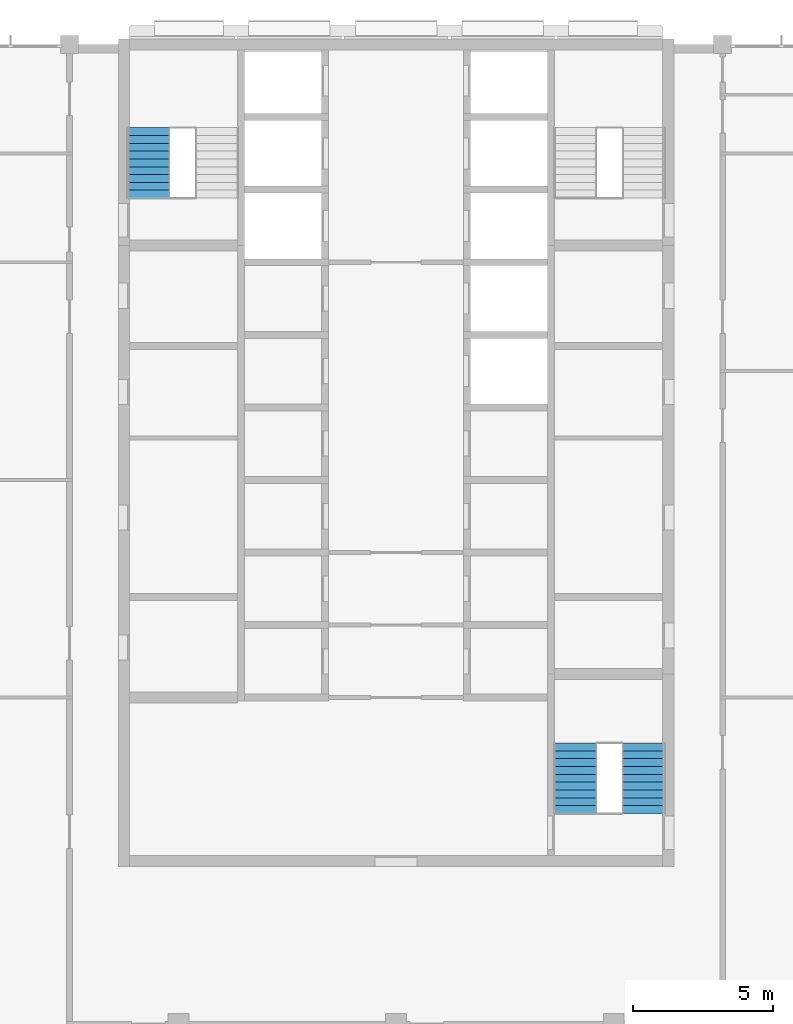
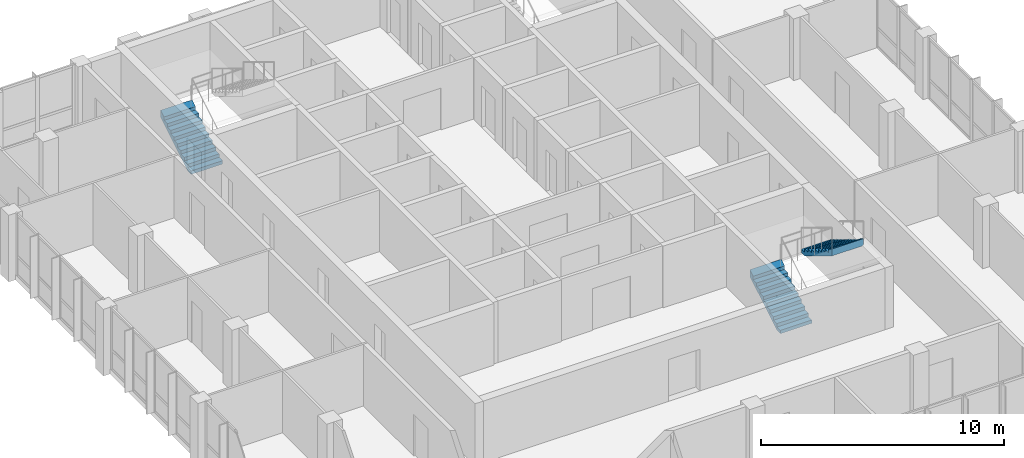
# One storey, part 13 of 17: 3 stair flights, 2 elements without a shape of their own.
"""IFC4 building model written with IfcOpenShell, lengths in metres."""

from ifc_helpers import new_model, si_unit, direction, frame, origin, place, context, subcontext, project, spatial, triangles, material, type_object, element, aggregate, save


model = new_model("IFC4")

# Units and contexts
model_context = context("Model", 3, precision=1e-05, world=origin(), true_north=direction((0.0, 1.0)))
body_context = subcontext(model_context, "Body", "Model", "MODEL_VIEW")
ifc_project = project(units=[si_unit("LENGTHUNIT", "METRE"), si_unit("AREAUNIT", "SQUARE_METRE"), si_unit("VOLUMEUNIT", "CUBIC_METRE"), si_unit("PLANEANGLEUNIT", "RADIAN"), si_unit("MASSUNIT", "GRAM", prefix="KILO")], contexts=[model_context])

# Site, building, storey
site_placement = place(None, origin())
site = spatial("IfcSite", under=ifc_project, at=site_placement, CompositionType="ELEMENT")
building_placement = place(site_placement, origin())
building = spatial("IfcBuilding", under=site, at=building_placement, Name="Ludao Terraces", CompositionType="ELEMENT")
storey_placement = place(building_placement, frame((0.0, 0.0, 263.0)))
storey = spatial("IfcBuildingStorey", under=building, at=storey_placement, Name="L72", CompositionType="ELEMENT", Elevation=263.0)

# Stair, stair flight
ifc_material = material(Name="Concrete C40", Category="concrete")
stair_type = type_object("IfcStairType", Name="INT Stair", PredefinedType="HALF_TURN_STAIR", material=ifc_material)
stair_1_placement = place(storey_placement, origin())
stair_1 = element("IfcStair", 1, at=stair_1_placement, inside=storey, type_object=stair_type, Name="EXIT STAIR 1", PredefinedType="HALF_TURN_STAIR")
stair_flight_type = type_object("IfcStairFlightType", Name="INT Stair flight", PredefinedType="STRAIGHT", material=ifc_material)
stair_flight_1_placement = place(storey_placement, frame((76.125, 79.0, 0.0), z_axis=(0.0, 0.0, 1.0), x_axis=(0.0, 1.0, 0.0)))
stair_flight_1 = element("IfcStairFlight", 2, at=stair_flight_1_placement, type_object=stair_flight_type, Name="ST1 flight 1", NumberOfRisers=10, NumberOfTreads=9, PredefinedType="STRAIGHT", RiserHeight=0.17, TreadLength=0.28, context=body_context, shape_type="Tessellation", body=[
    triangles([(0.0, -0.75, 0.0), (0.0, -0.5, 0.0), (0.0, -0.25, 0.0), (0.0, 0.0, 0.0), (0.0, 0.25, 0.0), (0.0, 0.5, 0.0), (0.0, 0.75, 0.0), (0.0, -0.75, 0.169921875), (0.0, -0.5, 0.169921875), (0.0, -0.25, 0.169921875), (0.0, 0.0, 0.169921875), (0.0, 0.25, 0.169921875), (0.0, 0.5, 0.169921875), (0.0, 0.75, 0.169921875), (0.280029296875, -0.75, 0.169921875), (0.280029296875, -0.5, 0.169921875), (0.280029296875, -0.25, 0.169921875), (0.280029296875, 0.0, 0.169921875), (0.280029296875, 0.25, 0.169921875), (0.280029296875, 0.5, 0.169921875), (0.280029296875, 0.75, 0.169921875), (0.280029296875, -0.75, 0.340087890625), (0.280029296875, -0.5, 0.340087890625), (0.280029296875, -0.25, 0.340087890625), (0.280029296875, 0.0, 0.340087890625), (0.280029296875, 0.25, 0.340087890625), (0.280029296875, 0.5, 0.340087890625), (0.280029296875, 0.75, 0.340087890625), (0.56005859375, -0.75, 0.340087890625), (0.56005859375, -0.5, 0.340087890625), (0.56005859375, -0.25, 0.340087890625), (0.56005859375, 0.0, 0.340087890625), (0.56005859375, 0.25, 0.340087890625), (0.56005859375, 0.5, 0.340087890625), (0.56005859375, 0.75, 0.340087890625), (0.56005859375, -0.75, 0.510009765625), (0.56005859375, -0.5, 0.510009765625), (0.56005859375, -0.25, 0.510009765625), (0.56005859375, 0.0, 0.510009765625), (0.56005859375, 0.25, 0.510009765625), (0.56005859375, 0.5, 0.510009765625), (0.56005859375, 0.75, 0.510009765625), (0.840087890625, -0.75, 0.510009765625), (0.840087890625, -0.5, 0.510009765625), (0.840087890625, -0.25, 0.510009765625), (0.840087890625, 0.0, 0.510009765625), (0.840087890625, 0.25, 0.510009765625), (0.840087890625, 0.5, 0.510009765625), (0.840087890625, 0.75, 0.510009765625), (0.840087890625, -0.75, 0.679931640625), (0.840087890625, -0.5, 0.679931640625), (0.840087890625, -0.25, 0.679931640625), (0.840087890625, 0.0, 0.679931640625), (0.840087890625, 0.25, 0.679931640625), (0.840087890625, 0.5, 0.679931640625), (0.840087890625, 0.75, 0.679931640625), (1.1201171875, -0.75, 0.679931640625), (1.1201171875, -0.5, 0.679931640625), (1.1201171875, -0.25, 0.679931640625), (1.1201171875, 0.0, 0.679931640625), (1.1201171875, 0.25, 0.679931640625), (1.1201171875, 0.5, 0.679931640625), (1.1201171875, 0.75, 0.679931640625), (1.1201171875, -0.75, 0.85009765625), (1.1201171875, -0.5, 0.85009765625), (1.1201171875, -0.25, 0.85009765625), (1.1201171875, 0.0, 0.85009765625), (1.1201171875, 0.25, 0.85009765625), (1.1201171875, 0.5, 0.85009765625), (1.1201171875, 0.75, 0.85009765625), (1.39990234375, -0.75, 0.85009765625), (1.39990234375, -0.5, 0.85009765625), (1.39990234375, -0.25, 0.85009765625), (1.39990234375, 0.0, 0.85009765625), (1.39990234375, 0.25, 0.85009765625), (1.39990234375, 0.5, 0.85009765625), (1.39990234375, 0.75, 0.85009765625), (1.39990234375, -0.75, 1.02001953125), (1.39990234375, -0.5, 1.02001953125), (1.39990234375, -0.25, 1.02001953125), (1.39990234375, 0.0, 1.02001953125), (1.39990234375, 0.25, 1.02001953125), (1.39990234375, 0.5, 1.02001953125), (1.39990234375, 0.75, 1.02001953125), (1.679931640625, -0.75, 1.02001953125), (1.679931640625, -0.5, 1.02001953125), (1.679931640625, -0.25, 1.02001953125), (1.679931640625, 0.0, 1.02001953125), (1.679931640625, 0.25, 1.02001953125), (1.679931640625, 0.5, 1.02001953125), (1.679931640625, 0.75, 1.02001953125), (1.679931640625, -0.75, 1.18994140625), (1.679931640625, -0.5, 1.18994140625), (1.679931640625, -0.25, 1.18994140625), (1.679931640625, 0.0, 1.18994140625), (1.679931640625, 0.25, 1.18994140625), (1.679931640625, 0.5, 1.18994140625), (1.679931640625, 0.75, 1.18994140625), (1.9599609375, -0.75, 1.18994140625), (1.9599609375, -0.5, 1.18994140625), (1.9599609375, -0.25, 1.18994140625), (1.9599609375, 0.0, 1.18994140625), (1.9599609375, 0.25, 1.18994140625), (1.9599609375, 0.5, 1.18994140625), (1.9599609375, 0.75, 1.18994140625), (1.9599609375, -0.75, 1.360107421875), (1.9599609375, -0.5, 1.360107421875), (1.9599609375, -0.25, 1.360107421875), (1.9599609375, 0.0, 1.360107421875), (1.9599609375, 0.25, 1.360107421875), (1.9599609375, 0.5, 1.360107421875), (1.9599609375, 0.75, 1.360107421875), (2.239990234375, -0.75, 1.360107421875), (2.239990234375, -0.5, 1.360107421875), (2.239990234375, -0.25, 1.360107421875), (2.239990234375, 0.0, 1.360107421875), (2.239990234375, 0.25, 1.360107421875), (2.239990234375, 0.5, 1.360107421875), (2.239990234375, 0.75, 1.360107421875), (2.239990234375, -0.75, 1.530029296875), (2.239990234375, -0.5, 1.530029296875), (2.239990234375, -0.25, 1.530029296875), (2.239990234375, 0.0, 1.530029296875), (2.239990234375, 0.25, 1.530029296875), (2.239990234375, 0.5, 1.530029296875), (2.239990234375, 0.75, 1.530029296875), (2.52001953125, -0.75, 1.699951171875), (2.52001953125, -0.5, 1.699951171875), (2.52001953125, -0.25, 1.699951171875), (2.52001953125, 0.0, 1.699951171875), (2.52001953125, 0.25, 1.699951171875), (2.52001953125, 0.5, 1.699951171875), (2.52001953125, 0.75, 1.699951171875), (2.52001953125, -0.75, 1.354736328125), (2.52001953125, -0.5, 1.354736328125), (2.52001953125, -0.25, 1.354736328125), (2.52001953125, 0.0, 1.354736328125), (2.52001953125, 0.25, 1.354736328125), (2.52001953125, 0.5, 1.354736328125), (2.52001953125, 0.75, 1.354736328125), (0.288818359375, -0.75, 0.0), (0.288818359375, -0.5, 0.0), (0.288818359375, -0.25, 0.0), (0.288818359375, 0.0, 0.0), (0.288818359375, 0.25, 0.0), (0.288818359375, 0.5, 0.0), (0.288818359375, 0.75, 0.0)], [[1, 141, 134], [7, 140, 147], [134, 127, 120], [140, 126, 133], [134, 120, 113], [140, 119, 126], [134, 113, 106], [140, 112, 119], [134, 106, 99], [140, 105, 112], [99, 92, 85], [105, 91, 98], [134, 99, 85], [140, 91, 105], [85, 78, 71], [91, 77, 84], [134, 85, 71], [140, 77, 91], [71, 64, 57], [77, 63, 70], [134, 71, 57], [140, 63, 77], [57, 50, 43], [63, 49, 56], [134, 57, 43], [140, 49, 63], [43, 36, 29], [49, 35, 42], [134, 43, 29], [140, 35, 49], [29, 22, 15], [35, 21, 28], [134, 29, 15], [140, 21, 35], [1, 134, 15], [7, 21, 140], [15, 8, 1], [21, 7, 14], [1, 9, 2], [1, 8, 9], [2, 10, 3], [2, 9, 10], [3, 11, 4], [3, 10, 11], [4, 12, 5], [4, 11, 12], [5, 13, 6], [5, 12, 13], [6, 14, 7], [6, 13, 14], [8, 16, 9], [8, 15, 16], [9, 17, 10], [9, 16, 17], [10, 18, 11], [10, 17, 18], [11, 19, 12], [11, 18, 19], [12, 20, 13], [12, 19, 20], [13, 21, 14], [13, 20, 21], [15, 23, 16], [15, 22, 23], [16, 24, 17], [16, 23, 24], [17, 25, 18], [17, 24, 25], [18, 26, 19], [18, 25, 26], [19, 27, 20], [19, 26, 27], [20, 28, 21], [20, 27, 28], [22, 30, 23], [22, 29, 30], [23, 31, 24], [23, 30, 31], [24, 32, 25], [24, 31, 32], [25, 33, 26], [25, 32, 33], [26, 34, 27], [26, 33, 34], [27, 35, 28], [27, 34, 35], [29, 37, 30], [29, 36, 37], [30, 38, 31], [30, 37, 38], [31, 39, 32], [31, 38, 39], [32, 40, 33], [32, 39, 40], [33, 41, 34], [33, 40, 41], [34, 42, 35], [34, 41, 42], [36, 44, 37], [36, 43, 44], [37, 45, 38], [37, 44, 45], [38, 46, 39], [38, 45, 46], [39, 47, 40], [39, 46, 47], [40, 48, 41], [40, 47, 48], [41, 49, 42], [41, 48, 49], [43, 51, 44], [43, 50, 51], [44, 52, 45], [44, 51, 52], [45, 53, 46], [45, 52, 53], [46, 54, 47], [46, 53, 54], [47, 55, 48], [47, 54, 55], [48, 56, 49], [48, 55, 56], [50, 58, 51], [50, 57, 58], [51, 59, 52], [51, 58, 59], [52, 60, 53], [52, 59, 60], [53, 61, 54], [53, 60, 61], [54, 62, 55], [54, 61, 62], [55, 63, 56], [55, 62, 63], [57, 65, 58], [57, 64, 65], [58, 66, 59], [58, 65, 66], [59, 67, 60], [59, 66, 67], [60, 68, 61], [60, 67, 68], [61, 69, 62], [61, 68, 69], [62, 70, 63], [62, 69, 70], [64, 72, 65], [64, 71, 72], [65, 73, 66], [65, 72, 73], [66, 74, 67], [66, 73, 74], [67, 75, 68], [67, 74, 75], [68, 76, 69], [68, 75, 76], [69, 77, 70], [69, 76, 77], [71, 79, 72], [71, 78, 79], [72, 80, 73], [72, 79, 80], [73, 81, 74], [73, 80, 81], [74, 82, 75], [74, 81, 82], [75, 83, 76], [75, 82, 83], [76, 84, 77], [76, 83, 84], [78, 86, 79], [78, 85, 86], [79, 87, 80], [79, 86, 87], [80, 88, 81], [80, 87, 88], [81, 89, 82], [81, 88, 89], [82, 90, 83], [82, 89, 90], [83, 91, 84], [83, 90, 91], [85, 93, 86], [85, 92, 93], [86, 94, 87], [86, 93, 94], [87, 95, 88], [87, 94, 95], [88, 96, 89], [88, 95, 96], [89, 97, 90], [89, 96, 97], [90, 98, 91], [90, 97, 98], [92, 100, 93], [92, 99, 100], [93, 101, 94], [93, 100, 101], [94, 102, 95], [94, 101, 102], [95, 103, 96], [95, 102, 103], [96, 104, 97], [96, 103, 104], [97, 105, 98], [97, 104, 105], [99, 107, 100], [99, 106, 107], [100, 108, 101], [100, 107, 108], [101, 109, 102], [101, 108, 109], [102, 110, 103], [102, 109, 110], [103, 111, 104], [103, 110, 111], [104, 112, 105], [104, 111, 112], [106, 114, 107], [106, 113, 114], [107, 115, 108], [107, 114, 115], [108, 116, 109], [108, 115, 116], [109, 117, 110], [109, 116, 117], [110, 118, 111], [110, 117, 118], [111, 119, 112], [111, 118, 119], [113, 121, 114], [113, 120, 121], [114, 122, 115], [114, 121, 122], [115, 123, 116], [115, 122, 123], [116, 124, 117], [116, 123, 124], [117, 125, 118], [117, 124, 125], [118, 126, 119], [118, 125, 126], [120, 128, 121], [120, 127, 128], [121, 129, 122], [121, 128, 129], [122, 130, 123], [122, 129, 130], [123, 131, 124], [123, 130, 131], [124, 132, 125], [124, 131, 132], [125, 133, 126], [125, 132, 133], [127, 135, 128], [127, 134, 135], [128, 136, 129], [128, 135, 136], [129, 137, 130], [129, 136, 137], [130, 138, 131], [130, 137, 138], [131, 139, 132], [131, 138, 139], [132, 140, 133], [132, 139, 140], [134, 142, 135], [134, 141, 142], [135, 143, 136], [135, 142, 143], [136, 144, 137], [136, 143, 144], [137, 145, 138], [137, 144, 145], [138, 146, 139], [138, 145, 146], [139, 147, 140], [139, 146, 147], [141, 2, 142], [141, 1, 2], [142, 3, 143], [142, 2, 3], [143, 4, 144], [143, 3, 4], [144, 5, 145], [144, 4, 5], [145, 6, 146], [145, 5, 6], [146, 7, 147], [146, 6, 7]], closed=True),
])
aggregate(stair_1, [stair_flight_1])

# Stair, stair flights
stair_2_placement = place(storey_placement, origin())
stair_2 = element("IfcStair", 3, at=stair_2_placement, inside=storey, type_object=stair_type, Name="EXIT STAIR 3", PredefinedType="HALF_TURN_STAIR")
stair_flight_2_placement = place(storey_placement, frame((91.425048828125, 56.949951171875, 0.0), z_axis=(0.0, 0.0, 1.0), x_axis=(0.0, 1.0, 0.0)))
stair_flight_2 = element("IfcStairFlight", 4, at=stair_flight_2_placement, type_object=stair_flight_type, Name="ST3 flight 1", NumberOfRisers=10, NumberOfTreads=9, PredefinedType="STRAIGHT", RiserHeight=0.17, TreadLength=0.28, context=body_context, shape_type="Tessellation", body=[
    triangles([(0.0, -0.75, 0.0), (0.0, -0.5, 0.0), (0.0, -0.25, 0.0), (0.0, 0.0, 0.0), (0.0, 0.25, 0.0), (0.0, 0.5, 0.0), (0.0, 0.75, 0.0), (0.0, -0.75, 0.169921875), (0.0, -0.5, 0.169921875), (0.0, -0.25, 0.169921875), (0.0, 0.0, 0.169921875), (0.0, 0.25, 0.169921875), (0.0, 0.5, 0.169921875), (0.0, 0.75, 0.169921875), (0.280029296875, -0.75, 0.169921875), (0.280029296875, -0.5, 0.169921875), (0.280029296875, -0.25, 0.169921875), (0.280029296875, 0.0, 0.169921875), (0.280029296875, 0.25, 0.169921875), (0.280029296875, 0.5, 0.169921875), (0.280029296875, 0.75, 0.169921875), (0.280029296875, -0.75, 0.340087890625), (0.280029296875, -0.5, 0.340087890625), (0.280029296875, -0.25, 0.340087890625), (0.280029296875, 0.0, 0.340087890625), (0.280029296875, 0.25, 0.340087890625), (0.280029296875, 0.5, 0.340087890625), (0.280029296875, 0.75, 0.340087890625), (0.56005859375, -0.75, 0.340087890625), (0.56005859375, -0.5, 0.340087890625), (0.56005859375, -0.25, 0.340087890625), (0.56005859375, 0.0, 0.340087890625), (0.56005859375, 0.25, 0.340087890625), (0.56005859375, 0.5, 0.340087890625), (0.56005859375, 0.75, 0.340087890625), (0.56005859375, -0.75, 0.510009765625), (0.56005859375, -0.5, 0.510009765625), (0.56005859375, -0.25, 0.510009765625), (0.56005859375, 0.0, 0.510009765625), (0.56005859375, 0.25, 0.510009765625), (0.56005859375, 0.5, 0.510009765625), (0.56005859375, 0.75, 0.510009765625), (0.840087890625, -0.75, 0.510009765625), (0.840087890625, -0.5, 0.510009765625), (0.840087890625, -0.25, 0.510009765625), (0.840087890625, 0.0, 0.510009765625), (0.840087890625, 0.25, 0.510009765625), (0.840087890625, 0.5, 0.510009765625), (0.840087890625, 0.75, 0.510009765625), (0.840087890625, -0.75, 0.679931640625), (0.840087890625, -0.5, 0.679931640625), (0.840087890625, -0.25, 0.679931640625), (0.840087890625, 0.0, 0.679931640625), (0.840087890625, 0.25, 0.679931640625), (0.840087890625, 0.5, 0.679931640625), (0.840087890625, 0.75, 0.679931640625), (1.1201171875, -0.75, 0.679931640625), (1.1201171875, -0.5, 0.679931640625), (1.1201171875, -0.25, 0.679931640625), (1.1201171875, 0.0, 0.679931640625), (1.1201171875, 0.25, 0.679931640625), (1.1201171875, 0.5, 0.679931640625), (1.1201171875, 0.75, 0.679931640625), (1.1201171875, -0.75, 0.85009765625), (1.1201171875, -0.5, 0.85009765625), (1.1201171875, -0.25, 0.85009765625), (1.1201171875, 0.0, 0.85009765625), (1.1201171875, 0.25, 0.85009765625), (1.1201171875, 0.5, 0.85009765625), (1.1201171875, 0.75, 0.85009765625), (1.39990234375, -0.75, 0.85009765625), (1.39990234375, -0.5, 0.85009765625), (1.39990234375, -0.25, 0.85009765625), (1.39990234375, 0.0, 0.85009765625), (1.39990234375, 0.25, 0.85009765625), (1.39990234375, 0.5, 0.85009765625), (1.39990234375, 0.75, 0.85009765625), (1.39990234375, -0.75, 1.02001953125), (1.39990234375, -0.5, 1.02001953125), (1.39990234375, -0.25, 1.02001953125), (1.39990234375, 0.0, 1.02001953125), (1.39990234375, 0.25, 1.02001953125), (1.39990234375, 0.5, 1.02001953125), (1.39990234375, 0.75, 1.02001953125), (1.679931640625, -0.75, 1.02001953125), (1.679931640625, -0.5, 1.02001953125), (1.679931640625, -0.25, 1.02001953125), (1.679931640625, 0.0, 1.02001953125), (1.679931640625, 0.25, 1.02001953125), (1.679931640625, 0.5, 1.02001953125), (1.679931640625, 0.75, 1.02001953125), (1.679931640625, -0.75, 1.18994140625), (1.679931640625, -0.5, 1.18994140625), (1.679931640625, -0.25, 1.18994140625), (1.679931640625, 0.0, 1.18994140625), (1.679931640625, 0.25, 1.18994140625), (1.679931640625, 0.5, 1.18994140625), (1.679931640625, 0.75, 1.18994140625), (1.9599609375, -0.75, 1.18994140625), (1.9599609375, -0.5, 1.18994140625), (1.9599609375, -0.25, 1.18994140625), (1.9599609375, 0.0, 1.18994140625), (1.9599609375, 0.25, 1.18994140625), (1.9599609375, 0.5, 1.18994140625), (1.9599609375, 0.75, 1.18994140625), (1.9599609375, -0.75, 1.360107421875), (1.9599609375, -0.5, 1.360107421875), (1.9599609375, -0.25, 1.360107421875), (1.9599609375, 0.0, 1.360107421875), (1.9599609375, 0.25, 1.360107421875), (1.9599609375, 0.5, 1.360107421875), (1.9599609375, 0.75, 1.360107421875), (2.239990234375, -0.75, 1.360107421875), (2.239990234375, -0.5, 1.360107421875), (2.239990234375, -0.25, 1.360107421875), (2.239990234375, 0.0, 1.360107421875), (2.239990234375, 0.25, 1.360107421875), (2.239990234375, 0.5, 1.360107421875), (2.239990234375, 0.75, 1.360107421875), (2.239990234375, -0.75, 1.530029296875), (2.239990234375, -0.5, 1.530029296875), (2.239990234375, -0.25, 1.530029296875), (2.239990234375, 0.0, 1.530029296875), (2.239990234375, 0.25, 1.530029296875), (2.239990234375, 0.5, 1.530029296875), (2.239990234375, 0.75, 1.530029296875), (2.52001953125, -0.75, 1.699951171875), (2.52001953125, -0.5, 1.699951171875), (2.52001953125, -0.25, 1.699951171875), (2.52001953125, 0.0, 1.699951171875), (2.52001953125, 0.25, 1.699951171875), (2.52001953125, 0.5, 1.699951171875), (2.52001953125, 0.75, 1.699951171875), (2.52001953125, -0.75, 1.354736328125), (2.52001953125, -0.5, 1.354736328125), (2.52001953125, -0.25, 1.354736328125), (2.52001953125, 0.0, 1.354736328125), (2.52001953125, 0.25, 1.354736328125), (2.52001953125, 0.5, 1.354736328125), (2.52001953125, 0.75, 1.354736328125), (0.288818359375, -0.75, 0.0), (0.288818359375, -0.5, 0.0), (0.288818359375, -0.25, 0.0), (0.288818359375, 0.0, 0.0), (0.288818359375, 0.25, 0.0), (0.288818359375, 0.5, 0.0), (0.288818359375, 0.75, 0.0)], [[1, 141, 134], [7, 140, 147], [134, 127, 120], [140, 126, 133], [134, 120, 113], [140, 119, 126], [134, 113, 106], [140, 112, 119], [134, 106, 99], [140, 105, 112], [99, 92, 85], [105, 91, 98], [134, 99, 85], [140, 91, 105], [85, 78, 71], [91, 77, 84], [134, 85, 71], [140, 77, 91], [71, 64, 57], [77, 63, 70], [134, 71, 57], [140, 63, 77], [57, 50, 43], [63, 49, 56], [134, 57, 43], [140, 49, 63], [43, 36, 29], [49, 35, 42], [134, 43, 29], [140, 35, 49], [29, 22, 15], [35, 21, 28], [134, 29, 15], [140, 21, 35], [1, 134, 15], [7, 21, 140], [15, 8, 1], [21, 7, 14], [1, 9, 2], [1, 8, 9], [2, 10, 3], [2, 9, 10], [3, 11, 4], [3, 10, 11], [4, 12, 5], [4, 11, 12], [5, 13, 6], [5, 12, 13], [6, 14, 7], [6, 13, 14], [8, 16, 9], [8, 15, 16], [9, 17, 10], [9, 16, 17], [10, 18, 11], [10, 17, 18], [11, 19, 12], [11, 18, 19], [12, 20, 13], [12, 19, 20], [13, 21, 14], [13, 20, 21], [15, 23, 16], [15, 22, 23], [16, 24, 17], [16, 23, 24], [17, 25, 18], [17, 24, 25], [18, 26, 19], [18, 25, 26], [19, 27, 20], [19, 26, 27], [20, 28, 21], [20, 27, 28], [22, 30, 23], [22, 29, 30], [23, 31, 24], [23, 30, 31], [24, 32, 25], [24, 31, 32], [25, 33, 26], [25, 32, 33], [26, 34, 27], [26, 33, 34], [27, 35, 28], [27, 34, 35], [29, 37, 30], [29, 36, 37], [30, 38, 31], [30, 37, 38], [31, 39, 32], [31, 38, 39], [32, 40, 33], [32, 39, 40], [33, 41, 34], [33, 40, 41], [34, 42, 35], [34, 41, 42], [36, 44, 37], [36, 43, 44], [37, 45, 38], [37, 44, 45], [38, 46, 39], [38, 45, 46], [39, 47, 40], [39, 46, 47], [40, 48, 41], [40, 47, 48], [41, 49, 42], [41, 48, 49], [43, 51, 44], [43, 50, 51], [44, 52, 45], [44, 51, 52], [45, 53, 46], [45, 52, 53], [46, 54, 47], [46, 53, 54], [47, 55, 48], [47, 54, 55], [48, 56, 49], [48, 55, 56], [50, 58, 51], [50, 57, 58], [51, 59, 52], [51, 58, 59], [52, 60, 53], [52, 59, 60], [53, 61, 54], [53, 60, 61], [54, 62, 55], [54, 61, 62], [55, 63, 56], [55, 62, 63], [57, 65, 58], [57, 64, 65], [58, 66, 59], [58, 65, 66], [59, 67, 60], [59, 66, 67], [60, 68, 61], [60, 67, 68], [61, 69, 62], [61, 68, 69], [62, 70, 63], [62, 69, 70], [64, 72, 65], [64, 71, 72], [65, 73, 66], [65, 72, 73], [66, 74, 67], [66, 73, 74], [67, 75, 68], [67, 74, 75], [68, 76, 69], [68, 75, 76], [69, 77, 70], [69, 76, 77], [71, 79, 72], [71, 78, 79], [72, 80, 73], [72, 79, 80], [73, 81, 74], [73, 80, 81], [74, 82, 75], [74, 81, 82], [75, 83, 76], [75, 82, 83], [76, 84, 77], [76, 83, 84], [78, 86, 79], [78, 85, 86], [79, 87, 80], [79, 86, 87], [80, 88, 81], [80, 87, 88], [81, 89, 82], [81, 88, 89], [82, 90, 83], [82, 89, 90], [83, 91, 84], [83, 90, 91], [85, 93, 86], [85, 92, 93], [86, 94, 87], [86, 93, 94], [87, 95, 88], [87, 94, 95], [88, 96, 89], [88, 95, 96], [89, 97, 90], [89, 96, 97], [90, 98, 91], [90, 97, 98], [92, 100, 93], [92, 99, 100], [93, 101, 94], [93, 100, 101], [94, 102, 95], [94, 101, 102], [95, 103, 96], [95, 102, 103], [96, 104, 97], [96, 103, 104], [97, 105, 98], [97, 104, 105], [99, 107, 100], [99, 106, 107], [100, 108, 101], [100, 107, 108], [101, 109, 102], [101, 108, 109], [102, 110, 103], [102, 109, 110], [103, 111, 104], [103, 110, 111], [104, 112, 105], [104, 111, 112], [106, 114, 107], [106, 113, 114], [107, 115, 108], [107, 114, 115], [108, 116, 109], [108, 115, 116], [109, 117, 110], [109, 116, 117], [110, 118, 111], [110, 117, 118], [111, 119, 112], [111, 118, 119], [113, 121, 114], [113, 120, 121], [114, 122, 115], [114, 121, 122], [115, 123, 116], [115, 122, 123], [116, 124, 117], [116, 123, 124], [117, 125, 118], [117, 124, 125], [118, 126, 119], [118, 125, 126], [120, 128, 121], [120, 127, 128], [121, 129, 122], [121, 128, 129], [122, 130, 123], [122, 129, 130], [123, 131, 124], [123, 130, 131], [124, 132, 125], [124, 131, 132], [125, 133, 126], [125, 132, 133], [127, 135, 128], [127, 134, 135], [128, 136, 129], [128, 135, 136], [129, 137, 130], [129, 136, 137], [130, 138, 131], [130, 137, 138], [131, 139, 132], [131, 138, 139], [132, 140, 133], [132, 139, 140], [134, 142, 135], [134, 141, 142], [135, 143, 136], [135, 142, 143], [136, 144, 137], [136, 143, 144], [137, 145, 138], [137, 144, 145], [138, 146, 139], [138, 145, 146], [139, 147, 140], [139, 146, 147], [141, 2, 142], [141, 1, 2], [142, 3, 143], [142, 2, 3], [143, 4, 144], [143, 3, 4], [144, 5, 145], [144, 4, 5], [145, 6, 146], [145, 5, 6], [146, 7, 147], [146, 6, 7]], closed=True),
])
stair_flight_3_placement = place(storey_placement, frame((93.875, 59.469970703125, 1.699951171875), z_axis=(0.0, 0.0, 1.0), x_axis=(0.0, -1.0, 0.0)))
stair_flight_3 = element("IfcStairFlight", 5, at=stair_flight_3_placement, type_object=stair_flight_type, Name="ST3 flight 2", NumberOfRisers=10, NumberOfTreads=9, PredefinedType="STRAIGHT", RiserHeight=0.17, TreadLength=0.28, context=body_context, shape_type="Tessellation", body=[
    triangles([(0.0, -0.75, 0.0), (0.0, -0.5, 0.0), (0.0, -0.25, 0.0), (0.0, 0.0, 0.0), (0.0, 0.25, 0.0), (0.0, 0.5, 0.0), (0.0, 0.75, 0.0), (0.0, -0.75, 0.169921875), (0.0, -0.5, 0.169921875), (0.0, -0.25, 0.169921875), (0.0, 0.0, 0.169921875), (0.0, 0.25, 0.169921875), (0.0, 0.5, 0.169921875), (0.0, 0.75, 0.169921875), (0.280029296875, -0.75, 0.169921875), (0.280029296875, -0.5, 0.169921875), (0.280029296875, -0.25, 0.169921875), (0.280029296875, 0.0, 0.169921875), (0.280029296875, 0.25, 0.169921875), (0.280029296875, 0.5, 0.169921875), (0.280029296875, 0.75, 0.169921875), (0.280029296875, -0.75, 0.340087890625), (0.280029296875, -0.5, 0.340087890625), (0.280029296875, -0.25, 0.340087890625), (0.280029296875, 0.0, 0.340087890625), (0.280029296875, 0.25, 0.340087890625), (0.280029296875, 0.5, 0.340087890625), (0.280029296875, 0.75, 0.340087890625), (0.56005859375, -0.75, 0.340087890625), (0.56005859375, -0.5, 0.340087890625), (0.56005859375, -0.25, 0.340087890625), (0.56005859375, 0.0, 0.340087890625), (0.56005859375, 0.25, 0.340087890625), (0.56005859375, 0.5, 0.340087890625), (0.56005859375, 0.75, 0.340087890625), (0.56005859375, -0.75, 0.510009765625), (0.56005859375, -0.5, 0.510009765625), (0.56005859375, -0.25, 0.510009765625), (0.56005859375, 0.0, 0.510009765625), (0.56005859375, 0.25, 0.510009765625), (0.56005859375, 0.5, 0.510009765625), (0.56005859375, 0.75, 0.510009765625), (0.840087890625, -0.75, 0.510009765625), (0.840087890625, -0.5, 0.510009765625), (0.840087890625, -0.25, 0.510009765625), (0.840087890625, 0.0, 0.510009765625), (0.840087890625, 0.25, 0.510009765625), (0.840087890625, 0.5, 0.510009765625), (0.840087890625, 0.75, 0.510009765625), (0.840087890625, -0.75, 0.679931640625), (0.840087890625, -0.5, 0.679931640625), (0.840087890625, -0.25, 0.679931640625), (0.840087890625, 0.0, 0.679931640625), (0.840087890625, 0.25, 0.679931640625), (0.840087890625, 0.5, 0.679931640625), (0.840087890625, 0.75, 0.679931640625), (1.1201171875, -0.75, 0.679931640625), (1.1201171875, -0.5, 0.679931640625), (1.1201171875, -0.25, 0.679931640625), (1.1201171875, 0.0, 0.679931640625), (1.1201171875, 0.25, 0.679931640625), (1.1201171875, 0.5, 0.679931640625), (1.1201171875, 0.75, 0.679931640625), (1.1201171875, -0.75, 0.85009765625), (1.1201171875, -0.5, 0.85009765625), (1.1201171875, -0.25, 0.85009765625), (1.1201171875, 0.0, 0.85009765625), (1.1201171875, 0.25, 0.85009765625), (1.1201171875, 0.5, 0.85009765625), (1.1201171875, 0.75, 0.85009765625), (1.39990234375, -0.75, 0.85009765625), (1.39990234375, -0.5, 0.85009765625), (1.39990234375, -0.25, 0.85009765625), (1.39990234375, 0.0, 0.85009765625), (1.39990234375, 0.25, 0.85009765625), (1.39990234375, 0.5, 0.85009765625), (1.39990234375, 0.75, 0.85009765625), (1.39990234375, -0.75, 1.02001953125), (1.39990234375, -0.5, 1.02001953125), (1.39990234375, -0.25, 1.02001953125), (1.39990234375, 0.0, 1.02001953125), (1.39990234375, 0.25, 1.02001953125), (1.39990234375, 0.5, 1.02001953125), (1.39990234375, 0.75, 1.02001953125), (1.679931640625, -0.75, 1.02001953125), (1.679931640625, -0.5, 1.02001953125), (1.679931640625, -0.25, 1.02001953125), (1.679931640625, 0.0, 1.02001953125), (1.679931640625, 0.25, 1.02001953125), (1.679931640625, 0.5, 1.02001953125), (1.679931640625, 0.75, 1.02001953125), (1.679931640625, -0.75, 1.18994140625), (1.679931640625, -0.5, 1.18994140625), (1.679931640625, -0.25, 1.18994140625), (1.679931640625, 0.0, 1.18994140625), (1.679931640625, 0.25, 1.18994140625), (1.679931640625, 0.5, 1.18994140625), (1.679931640625, 0.75, 1.18994140625), (1.9599609375, -0.75, 1.18994140625), (1.9599609375, -0.5, 1.18994140625), (1.9599609375, -0.25, 1.18994140625), (1.9599609375, 0.0, 1.18994140625), (1.9599609375, 0.25, 1.18994140625), (1.9599609375, 0.5, 1.18994140625), (1.9599609375, 0.75, 1.18994140625), (1.9599609375, -0.75, 1.360107421875), (1.9599609375, -0.5, 1.360107421875), (1.9599609375, -0.25, 1.360107421875), (1.9599609375, 0.0, 1.360107421875), (1.9599609375, 0.25, 1.360107421875), (1.9599609375, 0.5, 1.360107421875), (1.9599609375, 0.75, 1.360107421875), (2.239990234375, -0.75, 1.360107421875), (2.239990234375, -0.5, 1.360107421875), (2.239990234375, -0.25, 1.360107421875), (2.239990234375, 0.0, 1.360107421875), (2.239990234375, 0.25, 1.360107421875), (2.239990234375, 0.5, 1.360107421875), (2.239990234375, 0.75, 1.360107421875), (2.239990234375, -0.75, 1.530029296875), (2.239990234375, -0.5, 1.530029296875), (2.239990234375, -0.25, 1.530029296875), (2.239990234375, 0.0, 1.530029296875), (2.239990234375, 0.25, 1.530029296875), (2.239990234375, 0.5, 1.530029296875), (2.239990234375, 0.75, 1.530029296875), (2.52001953125, -0.75, 1.699951171875), (2.52001953125, -0.5, 1.699951171875), (2.52001953125, -0.25, 1.699951171875), (2.52001953125, 0.0, 1.699951171875), (2.52001953125, 0.25, 1.699951171875), (2.52001953125, 0.5, 1.699951171875), (2.52001953125, 0.75, 1.699951171875), (2.52001953125, -0.75, 1.354736328125), (2.52001953125, -0.5, 1.354736328125), (2.52001953125, -0.25, 1.354736328125), (2.52001953125, 0.0, 1.354736328125), (2.52001953125, 0.25, 1.354736328125), (2.52001953125, 0.5, 1.354736328125), (2.52001953125, 0.75, 1.354736328125), (0.288818359375, -0.75, 0.0), (0.288818359375, -0.5, 0.0), (0.288818359375, -0.25, 0.0), (0.288818359375, 0.0, 0.0), (0.288818359375, 0.25, 0.0), (0.288818359375, 0.5, 0.0), (0.288818359375, 0.75, 0.0)], [[1, 141, 134], [7, 140, 147], [134, 127, 120], [140, 126, 133], [134, 120, 113], [140, 119, 126], [134, 113, 106], [140, 112, 119], [134, 106, 99], [140, 105, 112], [99, 92, 85], [105, 91, 98], [134, 99, 85], [140, 91, 105], [85, 78, 71], [91, 77, 84], [134, 85, 71], [140, 77, 91], [71, 64, 57], [77, 63, 70], [134, 71, 57], [140, 63, 77], [57, 50, 43], [63, 49, 56], [134, 57, 43], [140, 49, 63], [43, 36, 29], [49, 35, 42], [134, 43, 29], [140, 35, 49], [29, 22, 15], [35, 21, 28], [134, 29, 15], [140, 21, 35], [1, 134, 15], [7, 21, 140], [15, 8, 1], [21, 7, 14], [1, 9, 2], [1, 8, 9], [2, 10, 3], [2, 9, 10], [3, 11, 4], [3, 10, 11], [4, 12, 5], [4, 11, 12], [5, 13, 6], [5, 12, 13], [6, 14, 7], [6, 13, 14], [8, 16, 9], [8, 15, 16], [9, 17, 10], [9, 16, 17], [10, 18, 11], [10, 17, 18], [11, 19, 12], [11, 18, 19], [12, 20, 13], [12, 19, 20], [13, 21, 14], [13, 20, 21], [15, 23, 16], [15, 22, 23], [16, 24, 17], [16, 23, 24], [17, 25, 18], [17, 24, 25], [18, 26, 19], [18, 25, 26], [19, 27, 20], [19, 26, 27], [20, 28, 21], [20, 27, 28], [22, 30, 23], [22, 29, 30], [23, 31, 24], [23, 30, 31], [24, 32, 25], [24, 31, 32], [25, 33, 26], [25, 32, 33], [26, 34, 27], [26, 33, 34], [27, 35, 28], [27, 34, 35], [29, 37, 30], [29, 36, 37], [30, 38, 31], [30, 37, 38], [31, 39, 32], [31, 38, 39], [32, 40, 33], [32, 39, 40], [33, 41, 34], [33, 40, 41], [34, 42, 35], [34, 41, 42], [36, 44, 37], [36, 43, 44], [37, 45, 38], [37, 44, 45], [38, 46, 39], [38, 45, 46], [39, 47, 40], [39, 46, 47], [40, 48, 41], [40, 47, 48], [41, 49, 42], [41, 48, 49], [43, 51, 44], [43, 50, 51], [44, 52, 45], [44, 51, 52], [45, 53, 46], [45, 52, 53], [46, 54, 47], [46, 53, 54], [47, 55, 48], [47, 54, 55], [48, 56, 49], [48, 55, 56], [50, 58, 51], [50, 57, 58], [51, 59, 52], [51, 58, 59], [52, 60, 53], [52, 59, 60], [53, 61, 54], [53, 60, 61], [54, 62, 55], [54, 61, 62], [55, 63, 56], [55, 62, 63], [57, 65, 58], [57, 64, 65], [58, 66, 59], [58, 65, 66], [59, 67, 60], [59, 66, 67], [60, 68, 61], [60, 67, 68], [61, 69, 62], [61, 68, 69], [62, 70, 63], [62, 69, 70], [64, 72, 65], [64, 71, 72], [65, 73, 66], [65, 72, 73], [66, 74, 67], [66, 73, 74], [67, 75, 68], [67, 74, 75], [68, 76, 69], [68, 75, 76], [69, 77, 70], [69, 76, 77], [71, 79, 72], [71, 78, 79], [72, 80, 73], [72, 79, 80], [73, 81, 74], [73, 80, 81], [74, 82, 75], [74, 81, 82], [75, 83, 76], [75, 82, 83], [76, 84, 77], [76, 83, 84], [78, 86, 79], [78, 85, 86], [79, 87, 80], [79, 86, 87], [80, 88, 81], [80, 87, 88], [81, 89, 82], [81, 88, 89], [82, 90, 83], [82, 89, 90], [83, 91, 84], [83, 90, 91], [85, 93, 86], [85, 92, 93], [86, 94, 87], [86, 93, 94], [87, 95, 88], [87, 94, 95], [88, 96, 89], [88, 95, 96], [89, 97, 90], [89, 96, 97], [90, 98, 91], [90, 97, 98], [92, 100, 93], [92, 99, 100], [93, 101, 94], [93, 100, 101], [94, 102, 95], [94, 101, 102], [95, 103, 96], [95, 102, 103], [96, 104, 97], [96, 103, 104], [97, 105, 98], [97, 104, 105], [99, 107, 100], [99, 106, 107], [100, 108, 101], [100, 107, 108], [101, 109, 102], [101, 108, 109], [102, 110, 103], [102, 109, 110], [103, 111, 104], [103, 110, 111], [104, 112, 105], [104, 111, 112], [106, 114, 107], [106, 113, 114], [107, 115, 108], [107, 114, 115], [108, 116, 109], [108, 115, 116], [109, 117, 110], [109, 116, 117], [110, 118, 111], [110, 117, 118], [111, 119, 112], [111, 118, 119], [113, 121, 114], [113, 120, 121], [114, 122, 115], [114, 121, 122], [115, 123, 116], [115, 122, 123], [116, 124, 117], [116, 123, 124], [117, 125, 118], [117, 124, 125], [118, 126, 119], [118, 125, 126], [120, 128, 121], [120, 127, 128], [121, 129, 122], [121, 128, 129], [122, 130, 123], [122, 129, 130], [123, 131, 124], [123, 130, 131], [124, 132, 125], [124, 131, 132], [125, 133, 126], [125, 132, 133], [127, 135, 128], [127, 134, 135], [128, 136, 129], [128, 135, 136], [129, 137, 130], [129, 136, 137], [130, 138, 131], [130, 137, 138], [131, 139, 132], [131, 138, 139], [132, 140, 133], [132, 139, 140], [134, 142, 135], [134, 141, 142], [135, 143, 136], [135, 142, 143], [136, 144, 137], [136, 143, 144], [137, 145, 138], [137, 144, 145], [138, 146, 139], [138, 145, 146], [139, 147, 140], [139, 146, 147], [141, 2, 142], [141, 1, 2], [142, 3, 143], [142, 2, 3], [143, 4, 144], [143, 3, 4], [144, 5, 145], [144, 4, 5], [145, 6, 146], [145, 5, 6], [146, 7, 147], [146, 6, 7]], closed=True),
])
aggregate(stair_2, [stair_flight_2, stair_flight_3])

save(model, "model.ifc")
